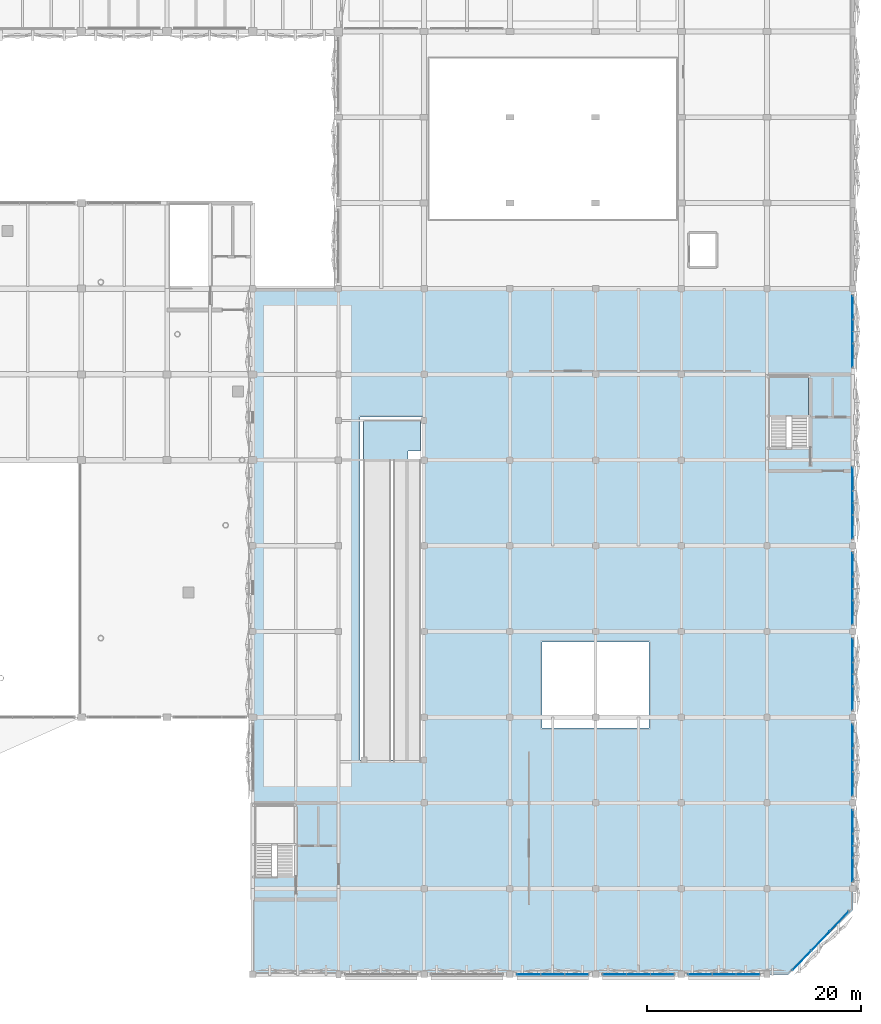
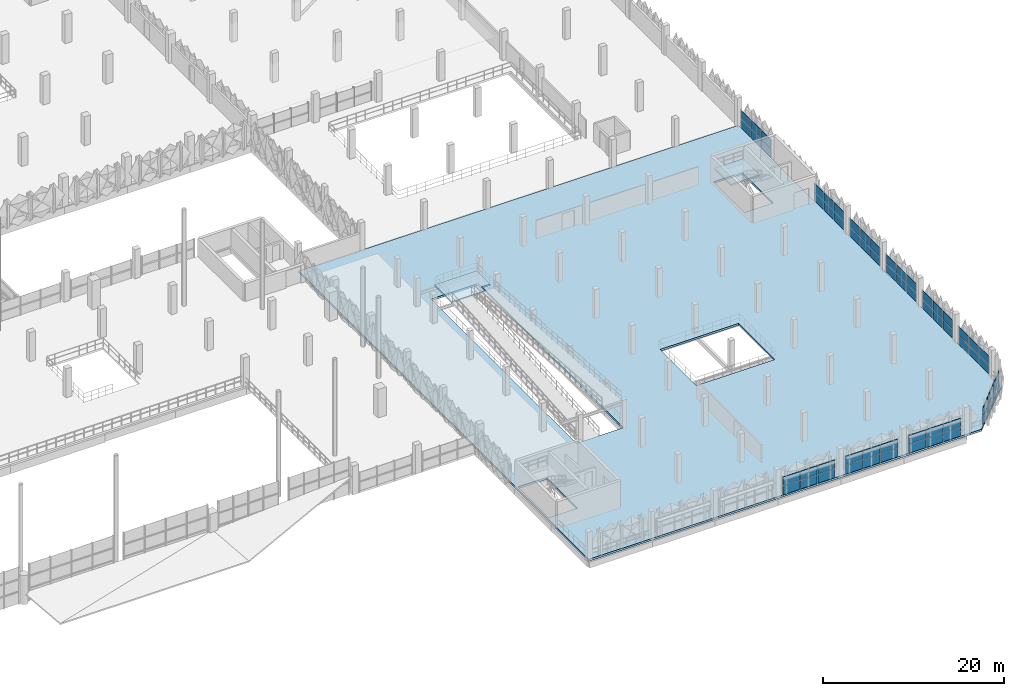
# One storey, part 64 of 123: 60 plates, 3 slabs, 12 elements without a shape of their own.
"""IFC4 building model written with IfcOpenShell, lengths in metres."""

from ifc_helpers import new_model, si_unit, derived_unit, direction, frame, origin, origin_2d, place, context, subcontext, project, spatial, polyline, rectangle, outline, extrude, material, layer, layer_set, type_object, element, aggregate, save


model = new_model("IFC4")

# Units and contexts
model_context = context("Model", 3, precision=1e-05, world=origin(), true_north=direction((0.0, 1.0)))
body_context = subcontext(model_context, "Body", "Model", "MODEL_VIEW")
ifc_project = project(units=[si_unit("LENGTHUNIT", "METRE"), si_unit("AREAUNIT", "SQUARE_METRE"), si_unit("VOLUMEUNIT", "CUBIC_METRE"), si_unit("PLANEANGLEUNIT", "RADIAN"), si_unit("MASSUNIT", "GRAM", prefix="KILO"), si_unit("THERMODYNAMICTEMPERATUREUNIT", "KELVIN"), derived_unit("THERMALTRANSMITTANCEUNIT", [(si_unit("POWERUNIT", "WATT"), 1), (si_unit("AREAUNIT", "SQUARE_METRE"), -1), (si_unit("THERMODYNAMICTEMPERATUREUNIT", "KELVIN"), -1)])], contexts=[model_context])

# Site, building, storey
site_placement = place(None, origin())
site = spatial("IfcSite", under=ifc_project, at=site_placement, CompositionType="ELEMENT")
building_placement = place(site_placement, origin())
building = spatial("IfcBuilding", under=site, at=building_placement, Name="Haiyu Intermodal Mobility Hub", CompositionType="ELEMENT")
storey_placement = place(building_placement, frame((0.0, 0.0, 5.60009765625)))
storey = spatial("IfcBuildingStorey", under=building, at=storey_placement, Name="L01", CompositionType="ELEMENT", Elevation=5.60009765625)

# Curtain wall, plates
ifc_material_1 = material(Name="Low-e laminated insulating glass", Category="glass")
ifc_layer_1 = layer(ifc_material_1, 0.2099609375)
ifc_layer_set_1 = layer_set([ifc_layer_1], Name="Low-e laminated insulating glass")
curtain_wall_type = type_object("IfcCurtainWallType", Name="CW-CW04", PredefinedType="NOTDEFINED", material=ifc_layer_set_1)
curtain_wall_1_placement = place(storey_placement, origin())
curtain_wall_1 = element("IfcCurtainWall", 1, at=curtain_wall_1_placement, inside=storey, type_object=curtain_wall_type, Name="Curtain Wall CW-V5S-L01-096", PredefinedType="NOTDEFINED")
ifc_material_2 = material(Name="Anodised aluminium 6063-T6", Category="aluminium")
ifc_layer_2 = layer(ifc_material_2, 0.0419921875)
ifc_layer_set_2 = layer_set([ifc_layer_2], Name="Anodised aluminium 6063-T6")
plate_type_1 = type_object("IfcPlateType", Name="PLT-CP02", PredefinedType="CURTAIN_PANEL", material=ifc_layer_set_2)
plate_1_placement = place(storey_placement, frame((179.77294921875, 16.0, 0.034912109375), z_axis=(0.0, 0.0, 1.0), x_axis=(1.0, 0.0, 0.0)))
plate_1 = element("IfcPlate", 2, at=plate_1_placement, type_object=plate_type_1, Name="CW-V5S-L01-096-PN01", PredefinedType="CURTAIN_PANEL", context=body_context, shape_type="SweptSolid", body=[
    extrude(rectangle(XDim=2.136962890625, YDim=0.0419921875, at=origin_2d()), origin(), (0.0, 0.0, 1.0), 1.169921875),
])
plate_2_placement = place(storey_placement, frame((182.0, 16.0, 0.034912109375), z_axis=(0.0, 0.0, 1.0), x_axis=(1.0, 0.0, 0.0)))
plate_2 = element("IfcPlate", 3, at=plate_2_placement, type_object=plate_type_1, Name="CW-V5S-L01-096-PN03", PredefinedType="CURTAIN_PANEL", context=body_context, shape_type="SweptSolid", body=[
    extrude(rectangle(XDim=2.136962890625, YDim=0.0419921875, at=origin_2d()), origin(), (0.0, 0.0, 1.0), 1.169921875),
])
plate_3_placement = place(storey_placement, frame((184.22705078125, 16.0, 0.034912109375), z_axis=(0.0, 0.0, 1.0), x_axis=(1.0, 0.0, 0.0)))
plate_3 = element("IfcPlate", 4, at=plate_3_placement, type_object=plate_type_1, Name="CW-V5S-L01-096-PN05", PredefinedType="CURTAIN_PANEL", context=body_context, shape_type="SweptSolid", body=[
    extrude(rectangle(XDim=2.136962890625, YDim=0.0419921875, at=origin_2d()), origin(), (0.0, 0.0, 1.0), 1.169921875),
])

curtain_wall_2_placement = place(storey_placement, origin())
curtain_wall_2 = element("IfcCurtainWall", 5, at=curtain_wall_2_placement, inside=storey, type_object=curtain_wall_type, Name="Curtain Wall CW-V5S-L01-097", PredefinedType="NOTDEFINED")
plate_4_placement = place(storey_placement, frame((187.77294921875, 16.0, 0.034912109375), z_axis=(0.0, 0.0, 1.0), x_axis=(1.0, 0.0, 0.0)))
plate_4 = element("IfcPlate", 6, at=plate_4_placement, type_object=plate_type_1, Name="CW-V5S-L01-097-PN01", PredefinedType="CURTAIN_PANEL", context=body_context, shape_type="SweptSolid", body=[
    extrude(rectangle(XDim=2.136962890625, YDim=0.0419921875, at=origin_2d()), origin(), (0.0, 0.0, 1.0), 1.169921875),
])
plate_5_placement = place(storey_placement, frame((190.0, 16.0, 0.034912109375), z_axis=(0.0, 0.0, 1.0), x_axis=(1.0, 0.0, 0.0)))
plate_5 = element("IfcPlate", 7, at=plate_5_placement, type_object=plate_type_1, Name="CW-V5S-L01-097-PN03", PredefinedType="CURTAIN_PANEL", context=body_context, shape_type="SweptSolid", body=[
    extrude(rectangle(XDim=2.136962890625, YDim=0.0419921875, at=origin_2d()), origin(), (0.0, 0.0, 1.0), 1.169921875),
])
plate_6_placement = place(storey_placement, frame((192.22705078125, 16.0, 0.034912109375), z_axis=(0.0, 0.0, 1.0), x_axis=(1.0, 0.0, 0.0)))
plate_6 = element("IfcPlate", 8, at=plate_6_placement, type_object=plate_type_1, Name="CW-V5S-L01-097-PN05", PredefinedType="CURTAIN_PANEL", context=body_context, shape_type="SweptSolid", body=[
    extrude(rectangle(XDim=2.136962890625, YDim=0.0419921875, at=origin_2d()), origin(), (0.0, 0.0, 1.0), 1.169921875),
])

curtain_wall_3_placement = place(storey_placement, origin())
curtain_wall_3 = element("IfcCurtainWall", 9, at=curtain_wall_3_placement, inside=storey, type_object=curtain_wall_type, Name="Curtain Wall CW-V5S-L01-098", PredefinedType="NOTDEFINED")
plate_7_placement = place(storey_placement, frame((195.77294921875, 16.0, 0.034912109375), z_axis=(0.0, 0.0, 1.0), x_axis=(1.0, 0.0, 0.0)))
plate_7 = element("IfcPlate", 10, at=plate_7_placement, type_object=plate_type_1, Name="CW-V5S-L01-098-PN01", PredefinedType="CURTAIN_PANEL", context=body_context, shape_type="SweptSolid", body=[
    extrude(rectangle(XDim=2.136962890625, YDim=0.0419921875, at=origin_2d()), origin(), (0.0, 0.0, 1.0), 1.169921875),
])
plate_8_placement = place(storey_placement, frame((198.0, 16.0, 0.034912109375), z_axis=(0.0, 0.0, 1.0), x_axis=(1.0, 0.0, 0.0)))
plate_8 = element("IfcPlate", 11, at=plate_8_placement, type_object=plate_type_1, Name="CW-V5S-L01-098-PN03", PredefinedType="CURTAIN_PANEL", context=body_context, shape_type="SweptSolid", body=[
    extrude(rectangle(XDim=2.136962890625, YDim=0.0419921875, at=origin_2d()), origin(), (0.0, 0.0, 1.0), 1.169921875),
])
plate_9_placement = place(storey_placement, frame((200.22705078125, 16.0, 0.034912109375), z_axis=(0.0, 0.0, 1.0), x_axis=(1.0, 0.0, 0.0)))
plate_9 = element("IfcPlate", 12, at=plate_9_placement, type_object=plate_type_1, Name="CW-V5S-L01-098-PN05", PredefinedType="CURTAIN_PANEL", context=body_context, shape_type="SweptSolid", body=[
    extrude(rectangle(XDim=2.136962890625, YDim=0.0419921875, at=origin_2d()), origin(), (0.0, 0.0, 1.0), 1.169921875),
])

curtain_wall_4_placement = place(storey_placement, origin())
curtain_wall_4 = element("IfcCurtainWall", 13, at=curtain_wall_4_placement, inside=storey, type_object=curtain_wall_type, Name="Curtain Wall CW-V5E-L01-099", PredefinedType="NOTDEFINED")
plate_10_placement = place(storey_placement, frame((210.0, 25.77294921875, 0.034912109375), z_axis=(0.0, 0.0, 1.0), x_axis=(0.0, 1.0, 0.0)))
plate_10 = element("IfcPlate", 14, at=plate_10_placement, type_object=plate_type_1, Name="CW-V5E-L01-099-PN01", PredefinedType="CURTAIN_PANEL", context=body_context, shape_type="SweptSolid", body=[
    extrude(rectangle(XDim=2.136962890625, YDim=0.0419921875, at=origin_2d()), origin(), (0.0, 0.0, 1.0), 1.169921875),
])
plate_11_placement = place(storey_placement, frame((210.0, 28.0, 0.034912109375), z_axis=(0.0, 0.0, 1.0), x_axis=(0.0, 1.0, 0.0)))
plate_11 = element("IfcPlate", 15, at=plate_11_placement, type_object=plate_type_1, Name="CW-V5E-L01-099-PN03", PredefinedType="CURTAIN_PANEL", context=body_context, shape_type="SweptSolid", body=[
    extrude(rectangle(XDim=2.136962890625, YDim=0.0419921875, at=origin_2d()), origin(), (0.0, 0.0, 1.0), 1.169921875),
])
plate_12_placement = place(storey_placement, frame((210.0, 30.22705078125, 0.034912109375), z_axis=(0.0, 0.0, 1.0), x_axis=(0.0, 1.0, 0.0)))
plate_12 = element("IfcPlate", 16, at=plate_12_placement, type_object=plate_type_1, Name="CW-V5E-L01-099-PN05", PredefinedType="CURTAIN_PANEL", context=body_context, shape_type="SweptSolid", body=[
    extrude(rectangle(XDim=2.136962890625, YDim=0.0419921875, at=origin_2d()), origin(), (0.0, 0.0, 1.0), 1.169921875),
])

curtain_wall_5_placement = place(storey_placement, origin())
curtain_wall_5 = element("IfcCurtainWall", 17, at=curtain_wall_5_placement, inside=storey, type_object=curtain_wall_type, Name="Curtain Wall CW-V5E-L01-100", PredefinedType="NOTDEFINED")
plate_13_placement = place(storey_placement, frame((210.0, 33.77294921875, 0.034912109375), z_axis=(0.0, 0.0, 1.0), x_axis=(0.0, 1.0, 0.0)))
plate_13 = element("IfcPlate", 18, at=plate_13_placement, type_object=plate_type_1, Name="CW-V5E-L01-100-PN01", PredefinedType="CURTAIN_PANEL", context=body_context, shape_type="SweptSolid", body=[
    extrude(rectangle(XDim=2.136962890625, YDim=0.0419921875, at=origin_2d()), origin(), (0.0, 0.0, 1.0), 1.169921875),
])
plate_14_placement = place(storey_placement, frame((210.0, 36.0, 0.034912109375), z_axis=(0.0, 0.0, 1.0), x_axis=(0.0, 1.0, 0.0)))
plate_14 = element("IfcPlate", 19, at=plate_14_placement, type_object=plate_type_1, Name="CW-V5E-L01-100-PN03", PredefinedType="CURTAIN_PANEL", context=body_context, shape_type="SweptSolid", body=[
    extrude(rectangle(XDim=2.136962890625, YDim=0.0419921875, at=origin_2d()), origin(), (0.0, 0.0, 1.0), 1.169921875),
])
plate_15_placement = place(storey_placement, frame((210.0, 38.22705078125, 0.034912109375), z_axis=(0.0, 0.0, 1.0), x_axis=(0.0, 1.0, 0.0)))
plate_15 = element("IfcPlate", 20, at=plate_15_placement, type_object=plate_type_1, Name="CW-V5E-L01-100-PN05", PredefinedType="CURTAIN_PANEL", context=body_context, shape_type="SweptSolid", body=[
    extrude(rectangle(XDim=2.136962890625, YDim=0.0419921875, at=origin_2d()), origin(), (0.0, 0.0, 1.0), 1.169921875),
])

curtain_wall_6_placement = place(storey_placement, origin())
curtain_wall_6 = element("IfcCurtainWall", 21, at=curtain_wall_6_placement, inside=storey, type_object=curtain_wall_type, Name="Curtain Wall CW-V5E-L01-101", PredefinedType="NOTDEFINED")
plate_16_placement = place(storey_placement, frame((210.0, 41.77294921875, 0.034912109375), z_axis=(0.0, 0.0, 1.0), x_axis=(0.0, 1.0, 0.0)))
plate_16 = element("IfcPlate", 22, at=plate_16_placement, type_object=plate_type_1, Name="CW-V5E-L01-101-PN01", PredefinedType="CURTAIN_PANEL", context=body_context, shape_type="SweptSolid", body=[
    extrude(rectangle(XDim=2.136962890625, YDim=0.0419921875, at=origin_2d()), origin(), (0.0, 0.0, 1.0), 1.169921875),
])
plate_17_placement = place(storey_placement, frame((210.0, 44.0, 0.034912109375), z_axis=(0.0, 0.0, 1.0), x_axis=(0.0, 1.0, 0.0)))
plate_17 = element("IfcPlate", 23, at=plate_17_placement, type_object=plate_type_1, Name="CW-V5E-L01-101-PN03", PredefinedType="CURTAIN_PANEL", context=body_context, shape_type="SweptSolid", body=[
    extrude(rectangle(XDim=2.136962890625, YDim=0.0419921875, at=origin_2d()), origin(), (0.0, 0.0, 1.0), 1.169921875),
])
plate_18_placement = place(storey_placement, frame((210.0, 46.22705078125, 0.034912109375), z_axis=(0.0, 0.0, 1.0), x_axis=(0.0, 1.0, 0.0)))
plate_18 = element("IfcPlate", 24, at=plate_18_placement, type_object=plate_type_1, Name="CW-V5E-L01-101-PN05", PredefinedType="CURTAIN_PANEL", context=body_context, shape_type="SweptSolid", body=[
    extrude(rectangle(XDim=2.136962890625, YDim=0.0419921875, at=origin_2d()), origin(), (0.0, 0.0, 1.0), 1.169921875),
])

curtain_wall_7_placement = place(storey_placement, origin())
curtain_wall_7 = element("IfcCurtainWall", 25, at=curtain_wall_7_placement, inside=storey, type_object=curtain_wall_type, Name="Curtain Wall CW-V5E-L01-102", PredefinedType="NOTDEFINED")
plate_19_placement = place(storey_placement, frame((210.0, 49.77294921875, 0.034912109375), z_axis=(0.0, 0.0, 1.0), x_axis=(0.0, 1.0, 0.0)))
plate_19 = element("IfcPlate", 26, at=plate_19_placement, type_object=plate_type_1, Name="CW-V5E-L01-102-PN01", PredefinedType="CURTAIN_PANEL", context=body_context, shape_type="SweptSolid", body=[
    extrude(rectangle(XDim=2.136962890625, YDim=0.0419921875, at=origin_2d()), origin(), (0.0, 0.0, 1.0), 1.169921875),
])
plate_20_placement = place(storey_placement, frame((210.0, 52.0, 0.034912109375), z_axis=(0.0, 0.0, 1.0), x_axis=(0.0, 1.0, 0.0)))
plate_20 = element("IfcPlate", 27, at=plate_20_placement, type_object=plate_type_1, Name="CW-V5E-L01-102-PN03", PredefinedType="CURTAIN_PANEL", context=body_context, shape_type="SweptSolid", body=[
    extrude(rectangle(XDim=2.136962890625, YDim=0.0419921875, at=origin_2d()), origin(), (0.0, 0.0, 1.0), 1.169921875),
])
plate_21_placement = place(storey_placement, frame((210.0, 54.22705078125, 0.034912109375), z_axis=(0.0, 0.0, 1.0), x_axis=(0.0, 1.0, 0.0)))
plate_21 = element("IfcPlate", 28, at=plate_21_placement, type_object=plate_type_1, Name="CW-V5E-L01-102-PN05", PredefinedType="CURTAIN_PANEL", context=body_context, shape_type="SweptSolid", body=[
    extrude(rectangle(XDim=2.136962890625, YDim=0.0419921875, at=origin_2d()), origin(), (0.0, 0.0, 1.0), 1.169921875),
])

curtain_wall_8_placement = place(storey_placement, origin())
curtain_wall_8 = element("IfcCurtainWall", 29, at=curtain_wall_8_placement, inside=storey, type_object=curtain_wall_type, Name="Curtain Wall CW-V5E-L01-103", PredefinedType="NOTDEFINED")
plate_22_placement = place(storey_placement, frame((210.0, 57.77294921875, 0.034912109375), z_axis=(0.0, 0.0, 1.0), x_axis=(0.0, 1.0, 0.0)))
plate_22 = element("IfcPlate", 30, at=plate_22_placement, type_object=plate_type_1, Name="CW-V5E-L01-103-PN01", PredefinedType="CURTAIN_PANEL", context=body_context, shape_type="SweptSolid", body=[
    extrude(rectangle(XDim=2.136962890625, YDim=0.0419921875, at=origin_2d()), origin(), (0.0, 0.0, 1.0), 1.169921875),
])
plate_23_placement = place(storey_placement, frame((210.0, 60.0, 0.034912109375), z_axis=(0.0, 0.0, 1.0), x_axis=(0.0, 1.0, 0.0)))
plate_23 = element("IfcPlate", 31, at=plate_23_placement, type_object=plate_type_1, Name="CW-V5E-L01-103-PN03", PredefinedType="CURTAIN_PANEL", context=body_context, shape_type="SweptSolid", body=[
    extrude(rectangle(XDim=2.136962890625, YDim=0.0419921875, at=origin_2d()), origin(), (0.0, 0.0, 1.0), 1.169921875),
])
plate_24_placement = place(storey_placement, frame((210.0, 62.22705078125, 0.034912109375), z_axis=(0.0, 0.0, 1.0), x_axis=(0.0, 1.0, 0.0)))
plate_24 = element("IfcPlate", 32, at=plate_24_placement, type_object=plate_type_1, Name="CW-V5E-L01-103-PN05", PredefinedType="CURTAIN_PANEL", context=body_context, shape_type="SweptSolid", body=[
    extrude(rectangle(XDim=2.136962890625, YDim=0.0419921875, at=origin_2d()), origin(), (0.0, 0.0, 1.0), 1.169921875),
])

curtain_wall_9_placement = place(storey_placement, origin())
curtain_wall_9 = element("IfcCurtainWall", 33, at=curtain_wall_9_placement, inside=storey, type_object=curtain_wall_type, Name="Curtain Wall CW-V5E-L01-104", PredefinedType="NOTDEFINED")
plate_25_placement = place(storey_placement, frame((210.0, 73.77294921875, 0.034912109375), z_axis=(0.0, 0.0, 1.0), x_axis=(0.0, 1.0, 0.0)))
plate_25 = element("IfcPlate", 34, at=plate_25_placement, type_object=plate_type_1, Name="CW-V5E-L01-104-PN01", PredefinedType="CURTAIN_PANEL", context=body_context, shape_type="SweptSolid", body=[
    extrude(rectangle(XDim=2.136962890625, YDim=0.0419921875, at=origin_2d()), origin(), (0.0, 0.0, 1.0), 1.169921875),
])
plate_26_placement = place(storey_placement, frame((210.0, 76.0, 0.034912109375), z_axis=(0.0, 0.0, 1.0), x_axis=(0.0, 1.0, 0.0)))
plate_26 = element("IfcPlate", 35, at=plate_26_placement, type_object=plate_type_1, Name="CW-V5E-L01-104-PN03", PredefinedType="CURTAIN_PANEL", context=body_context, shape_type="SweptSolid", body=[
    extrude(rectangle(XDim=2.136962890625, YDim=0.0419921875, at=origin_2d()), origin(), (0.0, 0.0, 1.0), 1.169921875),
])
plate_27_placement = place(storey_placement, frame((210.0, 78.22705078125, 0.034912109375), z_axis=(0.0, 0.0, 1.0), x_axis=(0.0, 1.0, 0.0)))
plate_27 = element("IfcPlate", 36, at=plate_27_placement, type_object=plate_type_1, Name="CW-V5E-L01-104-PN05", PredefinedType="CURTAIN_PANEL", context=body_context, shape_type="SweptSolid", body=[
    extrude(rectangle(XDim=2.136962890625, YDim=0.0419921875, at=origin_2d()), origin(), (0.0, 0.0, 1.0), 1.169921875),
])

curtain_wall_10_placement = place(storey_placement, origin())
curtain_wall_10 = element("IfcCurtainWall", 37, at=curtain_wall_10_placement, inside=storey, type_object=curtain_wall_type, Name="Curtain Wall CW-V5CH-L01-179", PredefinedType="NOTDEFINED")
plate_28_placement = place(storey_placement, frame((205.251953125, 17.2939453125, 0.034912109375), z_axis=(0.0, 0.0, 1.0), x_axis=(0.690630691319, 0.723207610723, 0.0)))
plate_28 = element("IfcPlate", 38, at=plate_28_placement, type_object=plate_type_1, Name="CW-V5CH-L01-179-PN01", PredefinedType="CURTAIN_PANEL", context=body_context, shape_type="SweptSolid", body=[
    extrude(rectangle(XDim=2.44091796875, YDim=0.0419921875, at=origin_2d()), origin(), (0.0, 0.0, 1.0), 1.169921875),
])
plate_29_placement = place(storey_placement, frame((207.0, 19.125, 0.034912109375), z_axis=(0.0, 0.0, 1.0), x_axis=(0.690630691319, 0.723207610723, 0.0)))
plate_29 = element("IfcPlate", 39, at=plate_29_placement, type_object=plate_type_1, Name="CW-V5CH-L01-179-PN03", PredefinedType="CURTAIN_PANEL", context=body_context, shape_type="SweptSolid", body=[
    extrude(rectangle(XDim=2.44091796875, YDim=0.0419921875, at=origin_2d()), origin(), (0.0, 0.0, 1.0), 1.169921875),
])
plate_30_placement = place(storey_placement, frame((208.748046875, 20.9560546875, 0.034912109375), z_axis=(0.0, 0.0, 1.0), x_axis=(0.690630691319, 0.723207610723, 0.0)))
plate_30 = element("IfcPlate", 40, at=plate_30_placement, type_object=plate_type_1, Name="CW-V5CH-L01-179-PN05", PredefinedType="CURTAIN_PANEL", context=body_context, shape_type="SweptSolid", body=[
    extrude(rectangle(XDim=2.44091796875, YDim=0.0419921875, at=origin_2d()), origin(), (0.0, 0.0, 1.0), 1.169921875),
])

# Plate
ifc_layer_3 = layer(ifc_material_1, 0.0439453125)
ifc_layer_set_3 = layer_set([ifc_layer_3], Name="Low-e laminated insulating glass")
plate_type_2 = type_object("IfcPlateType", Name="PLT-CP04", PredefinedType="CURTAIN_PANEL", material=ifc_layer_set_3)
plate_31_placement = place(storey_placement, frame((179.77294921875, 16.0, 1.27490234375), z_axis=(0.0, 0.0, 1.0), x_axis=(1.0, 0.0, 0.0)))
plate_31 = element("IfcPlate", 41, at=plate_31_placement, type_object=plate_type_2, Name="CW-V5S-L01-096-PN02", PredefinedType="CURTAIN_PANEL", context=body_context, shape_type="SweptSolid", body=[
    extrude(rectangle(XDim=2.136962890625, YDim=0.0439453125, at=origin_2d()), origin(), (0.0, 0.0, 1.0), 1.169921875),
])

plate_32_placement = place(storey_placement, frame((182.0, 16.0, 1.27490234375), z_axis=(0.0, 0.0, 1.0), x_axis=(1.0, 0.0, 0.0)))
plate_32 = element("IfcPlate", 42, at=plate_32_placement, type_object=plate_type_2, Name="CW-V5S-L01-096-PN04", PredefinedType="CURTAIN_PANEL", context=body_context, shape_type="SweptSolid", body=[
    extrude(rectangle(XDim=2.136962890625, YDim=0.0439453125, at=origin_2d()), origin(), (0.0, 0.0, 1.0), 1.169921875),
])

plate_33_placement = place(storey_placement, frame((184.22705078125, 16.0, 1.27490234375), z_axis=(0.0, 0.0, 1.0), x_axis=(1.0, 0.0, 0.0)))
plate_33 = element("IfcPlate", 43, at=plate_33_placement, type_object=plate_type_2, Name="CW-V5S-L01-096-PN06", PredefinedType="CURTAIN_PANEL", context=body_context, shape_type="SweptSolid", body=[
    extrude(rectangle(XDim=2.136962890625, YDim=0.0439453125, at=origin_2d()), origin(), (0.0, 0.0, 1.0), 1.169921875),
])

aggregate(curtain_wall_1, [plate_1, plate_31, plate_2, plate_32, plate_3, plate_33])

plate_34_placement = place(storey_placement, frame((187.77294921875, 16.0, 1.27490234375), z_axis=(0.0, 0.0, 1.0), x_axis=(1.0, 0.0, 0.0)))
plate_34 = element("IfcPlate", 44, at=plate_34_placement, type_object=plate_type_2, Name="CW-V5S-L01-097-PN02", PredefinedType="CURTAIN_PANEL", context=body_context, shape_type="SweptSolid", body=[
    extrude(rectangle(XDim=2.136962890625, YDim=0.0439453125, at=origin_2d()), origin(), (0.0, 0.0, 1.0), 1.169921875),
])

plate_35_placement = place(storey_placement, frame((190.0, 16.0, 1.27490234375), z_axis=(0.0, 0.0, 1.0), x_axis=(1.0, 0.0, 0.0)))
plate_35 = element("IfcPlate", 45, at=plate_35_placement, type_object=plate_type_2, Name="CW-V5S-L01-097-PN04", PredefinedType="CURTAIN_PANEL", context=body_context, shape_type="SweptSolid", body=[
    extrude(rectangle(XDim=2.136962890625, YDim=0.0439453125, at=origin_2d()), origin(), (0.0, 0.0, 1.0), 1.169921875),
])

plate_36_placement = place(storey_placement, frame((192.22705078125, 16.0, 1.27490234375), z_axis=(0.0, 0.0, 1.0), x_axis=(1.0, 0.0, 0.0)))
plate_36 = element("IfcPlate", 46, at=plate_36_placement, type_object=plate_type_2, Name="CW-V5S-L01-097-PN06", PredefinedType="CURTAIN_PANEL", context=body_context, shape_type="SweptSolid", body=[
    extrude(rectangle(XDim=2.136962890625, YDim=0.0439453125, at=origin_2d()), origin(), (0.0, 0.0, 1.0), 1.169921875),
])

aggregate(curtain_wall_2, [plate_4, plate_34, plate_5, plate_35, plate_6, plate_36])

plate_37_placement = place(storey_placement, frame((195.77294921875, 16.0, 1.27490234375), z_axis=(0.0, 0.0, 1.0), x_axis=(1.0, 0.0, 0.0)))
plate_37 = element("IfcPlate", 47, at=plate_37_placement, type_object=plate_type_2, Name="CW-V5S-L01-098-PN02", PredefinedType="CURTAIN_PANEL", context=body_context, shape_type="SweptSolid", body=[
    extrude(rectangle(XDim=2.136962890625, YDim=0.0439453125, at=origin_2d()), origin(), (0.0, 0.0, 1.0), 1.169921875),
])

plate_38_placement = place(storey_placement, frame((198.0, 16.0, 1.27490234375), z_axis=(0.0, 0.0, 1.0), x_axis=(1.0, 0.0, 0.0)))
plate_38 = element("IfcPlate", 48, at=plate_38_placement, type_object=plate_type_2, Name="CW-V5S-L01-098-PN04", PredefinedType="CURTAIN_PANEL", context=body_context, shape_type="SweptSolid", body=[
    extrude(rectangle(XDim=2.136962890625, YDim=0.0439453125, at=origin_2d()), origin(), (0.0, 0.0, 1.0), 1.169921875),
])

plate_39_placement = place(storey_placement, frame((200.22705078125, 16.0, 1.27490234375), z_axis=(0.0, 0.0, 1.0), x_axis=(1.0, 0.0, 0.0)))
plate_39 = element("IfcPlate", 49, at=plate_39_placement, type_object=plate_type_2, Name="CW-V5S-L01-098-PN06", PredefinedType="CURTAIN_PANEL", context=body_context, shape_type="SweptSolid", body=[
    extrude(rectangle(XDim=2.136962890625, YDim=0.0439453125, at=origin_2d()), origin(), (0.0, 0.0, 1.0), 1.169921875),
])

aggregate(curtain_wall_3, [plate_7, plate_37, plate_8, plate_38, plate_9, plate_39])

plate_40_placement = place(storey_placement, frame((210.0, 25.77294921875, 1.27490234375), z_axis=(0.0, 0.0, 1.0), x_axis=(0.0, 1.0, 0.0)))
plate_40 = element("IfcPlate", 50, at=plate_40_placement, type_object=plate_type_2, Name="CW-V5E-L01-099-PN02", PredefinedType="CURTAIN_PANEL", context=body_context, shape_type="SweptSolid", body=[
    extrude(rectangle(XDim=2.136962890625, YDim=0.0439453125, at=origin_2d()), origin(), (0.0, 0.0, 1.0), 1.169921875),
])

plate_41_placement = place(storey_placement, frame((210.0, 28.0, 1.27490234375), z_axis=(0.0, 0.0, 1.0), x_axis=(0.0, 1.0, 0.0)))
plate_41 = element("IfcPlate", 51, at=plate_41_placement, type_object=plate_type_2, Name="CW-V5E-L01-099-PN04", PredefinedType="CURTAIN_PANEL", context=body_context, shape_type="SweptSolid", body=[
    extrude(rectangle(XDim=2.136962890625, YDim=0.0439453125, at=origin_2d()), origin(), (0.0, 0.0, 1.0), 1.169921875),
])

plate_42_placement = place(storey_placement, frame((210.0, 30.22705078125, 1.27490234375), z_axis=(0.0, 0.0, 1.0), x_axis=(0.0, 1.0, 0.0)))
plate_42 = element("IfcPlate", 52, at=plate_42_placement, type_object=plate_type_2, Name="CW-V5E-L01-099-PN06", PredefinedType="CURTAIN_PANEL", context=body_context, shape_type="SweptSolid", body=[
    extrude(rectangle(XDim=2.136962890625, YDim=0.0439453125, at=origin_2d()), origin(), (0.0, 0.0, 1.0), 1.169921875),
])

aggregate(curtain_wall_4, [plate_10, plate_40, plate_11, plate_41, plate_12, plate_42])

plate_43_placement = place(storey_placement, frame((210.0, 33.77294921875, 1.27490234375), z_axis=(0.0, 0.0, 1.0), x_axis=(0.0, 1.0, 0.0)))
plate_43 = element("IfcPlate", 53, at=plate_43_placement, type_object=plate_type_2, Name="CW-V5E-L01-100-PN02", PredefinedType="CURTAIN_PANEL", context=body_context, shape_type="SweptSolid", body=[
    extrude(rectangle(XDim=2.136962890625, YDim=0.0439453125, at=origin_2d()), origin(), (0.0, 0.0, 1.0), 1.169921875),
])

plate_44_placement = place(storey_placement, frame((210.0, 36.0, 1.27490234375), z_axis=(0.0, 0.0, 1.0), x_axis=(0.0, 1.0, 0.0)))
plate_44 = element("IfcPlate", 54, at=plate_44_placement, type_object=plate_type_2, Name="CW-V5E-L01-100-PN04", PredefinedType="CURTAIN_PANEL", context=body_context, shape_type="SweptSolid", body=[
    extrude(rectangle(XDim=2.136962890625, YDim=0.0439453125, at=origin_2d()), origin(), (0.0, 0.0, 1.0), 1.169921875),
])

plate_45_placement = place(storey_placement, frame((210.0, 38.22705078125, 1.27490234375), z_axis=(0.0, 0.0, 1.0), x_axis=(0.0, 1.0, 0.0)))
plate_45 = element("IfcPlate", 55, at=plate_45_placement, type_object=plate_type_2, Name="CW-V5E-L01-100-PN06", PredefinedType="CURTAIN_PANEL", context=body_context, shape_type="SweptSolid", body=[
    extrude(rectangle(XDim=2.136962890625, YDim=0.0439453125, at=origin_2d()), origin(), (0.0, 0.0, 1.0), 1.169921875),
])

aggregate(curtain_wall_5, [plate_13, plate_43, plate_14, plate_44, plate_15, plate_45])

plate_46_placement = place(storey_placement, frame((210.0, 41.77294921875, 1.27490234375), z_axis=(0.0, 0.0, 1.0), x_axis=(0.0, 1.0, 0.0)))
plate_46 = element("IfcPlate", 56, at=plate_46_placement, type_object=plate_type_2, Name="CW-V5E-L01-101-PN02", PredefinedType="CURTAIN_PANEL", context=body_context, shape_type="SweptSolid", body=[
    extrude(rectangle(XDim=2.136962890625, YDim=0.0439453125, at=origin_2d()), origin(), (0.0, 0.0, 1.0), 1.169921875),
])

plate_47_placement = place(storey_placement, frame((210.0, 44.0, 1.27490234375), z_axis=(0.0, 0.0, 1.0), x_axis=(0.0, 1.0, 0.0)))
plate_47 = element("IfcPlate", 57, at=plate_47_placement, type_object=plate_type_2, Name="CW-V5E-L01-101-PN04", PredefinedType="CURTAIN_PANEL", context=body_context, shape_type="SweptSolid", body=[
    extrude(rectangle(XDim=2.136962890625, YDim=0.0439453125, at=origin_2d()), origin(), (0.0, 0.0, 1.0), 1.169921875),
])

plate_48_placement = place(storey_placement, frame((210.0, 46.22705078125, 1.27490234375), z_axis=(0.0, 0.0, 1.0), x_axis=(0.0, 1.0, 0.0)))
plate_48 = element("IfcPlate", 58, at=plate_48_placement, type_object=plate_type_2, Name="CW-V5E-L01-101-PN06", PredefinedType="CURTAIN_PANEL", context=body_context, shape_type="SweptSolid", body=[
    extrude(rectangle(XDim=2.136962890625, YDim=0.0439453125, at=origin_2d()), origin(), (0.0, 0.0, 1.0), 1.169921875),
])

aggregate(curtain_wall_6, [plate_16, plate_46, plate_17, plate_47, plate_18, plate_48])

plate_49_placement = place(storey_placement, frame((210.0, 49.77294921875, 1.27490234375), z_axis=(0.0, 0.0, 1.0), x_axis=(0.0, 1.0, 0.0)))
plate_49 = element("IfcPlate", 59, at=plate_49_placement, type_object=plate_type_2, Name="CW-V5E-L01-102-PN02", PredefinedType="CURTAIN_PANEL", context=body_context, shape_type="SweptSolid", body=[
    extrude(rectangle(XDim=2.136962890625, YDim=0.0439453125, at=origin_2d()), origin(), (0.0, 0.0, 1.0), 1.169921875),
])

plate_50_placement = place(storey_placement, frame((210.0, 52.0, 1.27490234375), z_axis=(0.0, 0.0, 1.0), x_axis=(0.0, 1.0, 0.0)))
plate_50 = element("IfcPlate", 60, at=plate_50_placement, type_object=plate_type_2, Name="CW-V5E-L01-102-PN04", PredefinedType="CURTAIN_PANEL", context=body_context, shape_type="SweptSolid", body=[
    extrude(rectangle(XDim=2.136962890625, YDim=0.0439453125, at=origin_2d()), origin(), (0.0, 0.0, 1.0), 1.169921875),
])

plate_51_placement = place(storey_placement, frame((210.0, 54.22705078125, 1.27490234375), z_axis=(0.0, 0.0, 1.0), x_axis=(0.0, 1.0, 0.0)))
plate_51 = element("IfcPlate", 61, at=plate_51_placement, type_object=plate_type_2, Name="CW-V5E-L01-102-PN06", PredefinedType="CURTAIN_PANEL", context=body_context, shape_type="SweptSolid", body=[
    extrude(rectangle(XDim=2.136962890625, YDim=0.0439453125, at=origin_2d()), origin(), (0.0, 0.0, 1.0), 1.169921875),
])

aggregate(curtain_wall_7, [plate_19, plate_49, plate_20, plate_50, plate_21, plate_51])

plate_52_placement = place(storey_placement, frame((210.0, 57.77294921875, 1.27490234375), z_axis=(0.0, 0.0, 1.0), x_axis=(0.0, 1.0, 0.0)))
plate_52 = element("IfcPlate", 62, at=plate_52_placement, type_object=plate_type_2, Name="CW-V5E-L01-103-PN02", PredefinedType="CURTAIN_PANEL", context=body_context, shape_type="SweptSolid", body=[
    extrude(rectangle(XDim=2.136962890625, YDim=0.0439453125, at=origin_2d()), origin(), (0.0, 0.0, 1.0), 1.169921875),
])

plate_53_placement = place(storey_placement, frame((210.0, 60.0, 1.27490234375), z_axis=(0.0, 0.0, 1.0), x_axis=(0.0, 1.0, 0.0)))
plate_53 = element("IfcPlate", 63, at=plate_53_placement, type_object=plate_type_2, Name="CW-V5E-L01-103-PN04", PredefinedType="CURTAIN_PANEL", context=body_context, shape_type="SweptSolid", body=[
    extrude(rectangle(XDim=2.136962890625, YDim=0.0439453125, at=origin_2d()), origin(), (0.0, 0.0, 1.0), 1.169921875),
])

plate_54_placement = place(storey_placement, frame((210.0, 62.22705078125, 1.27490234375), z_axis=(0.0, 0.0, 1.0), x_axis=(0.0, 1.0, 0.0)))
plate_54 = element("IfcPlate", 64, at=plate_54_placement, type_object=plate_type_2, Name="CW-V5E-L01-103-PN06", PredefinedType="CURTAIN_PANEL", context=body_context, shape_type="SweptSolid", body=[
    extrude(rectangle(XDim=2.136962890625, YDim=0.0439453125, at=origin_2d()), origin(), (0.0, 0.0, 1.0), 1.169921875),
])

aggregate(curtain_wall_8, [plate_22, plate_52, plate_23, plate_53, plate_24, plate_54])

plate_55_placement = place(storey_placement, frame((210.0, 73.77294921875, 1.27490234375), z_axis=(0.0, 0.0, 1.0), x_axis=(0.0, 1.0, 0.0)))
plate_55 = element("IfcPlate", 65, at=plate_55_placement, type_object=plate_type_2, Name="CW-V5E-L01-104-PN02", PredefinedType="CURTAIN_PANEL", context=body_context, shape_type="SweptSolid", body=[
    extrude(rectangle(XDim=2.136962890625, YDim=0.0439453125, at=origin_2d()), origin(), (0.0, 0.0, 1.0), 1.169921875),
])

plate_56_placement = place(storey_placement, frame((210.0, 76.0, 1.27490234375), z_axis=(0.0, 0.0, 1.0), x_axis=(0.0, 1.0, 0.0)))
plate_56 = element("IfcPlate", 66, at=plate_56_placement, type_object=plate_type_2, Name="CW-V5E-L01-104-PN04", PredefinedType="CURTAIN_PANEL", context=body_context, shape_type="SweptSolid", body=[
    extrude(rectangle(XDim=2.136962890625, YDim=0.0439453125, at=origin_2d()), origin(), (0.0, 0.0, 1.0), 1.169921875),
])

plate_57_placement = place(storey_placement, frame((210.0, 78.22705078125, 1.27490234375), z_axis=(0.0, 0.0, 1.0), x_axis=(0.0, 1.0, 0.0)))
plate_57 = element("IfcPlate", 67, at=plate_57_placement, type_object=plate_type_2, Name="CW-V5E-L01-104-PN06", PredefinedType="CURTAIN_PANEL", context=body_context, shape_type="SweptSolid", body=[
    extrude(rectangle(XDim=2.136962890625, YDim=0.0439453125, at=origin_2d()), origin(), (0.0, 0.0, 1.0), 1.169921875),
])

aggregate(curtain_wall_9, [plate_25, plate_55, plate_26, plate_56, plate_27, plate_57])

plate_58_placement = place(storey_placement, frame((205.251953125, 17.2939453125, 1.27490234375), z_axis=(0.0, 0.0, 1.0), x_axis=(0.690630691319, 0.723207610723, 0.0)))
plate_58 = element("IfcPlate", 68, at=plate_58_placement, type_object=plate_type_2, Name="CW-V5CH-L01-179-PN02", PredefinedType="CURTAIN_PANEL", context=body_context, shape_type="SweptSolid", body=[
    extrude(rectangle(XDim=2.44091796875, YDim=0.0439453125, at=origin_2d()), origin(), (0.0, 0.0, 1.0), 1.169921875),
])

plate_59_placement = place(storey_placement, frame((207.0, 19.125, 1.27490234375), z_axis=(0.0, 0.0, 1.0), x_axis=(0.690630691319, 0.723207610723, 0.0)))
plate_59 = element("IfcPlate", 69, at=plate_59_placement, type_object=plate_type_2, Name="CW-V5CH-L01-179-PN04", PredefinedType="CURTAIN_PANEL", context=body_context, shape_type="SweptSolid", body=[
    extrude(rectangle(XDim=2.44091796875, YDim=0.0439453125, at=origin_2d()), origin(), (0.0, 0.0, 1.0), 1.169921875),
])

plate_60_placement = place(storey_placement, frame((208.748046875, 20.9560546875, 1.27490234375), z_axis=(0.0, 0.0, 1.0), x_axis=(0.690630691319, 0.723207610723, 0.0)))
plate_60 = element("IfcPlate", 70, at=plate_60_placement, type_object=plate_type_2, Name="CW-V5CH-L01-179-PN06", PredefinedType="CURTAIN_PANEL", context=body_context, shape_type="SweptSolid", body=[
    extrude(rectangle(XDim=2.44091796875, YDim=0.0439453125, at=origin_2d()), origin(), (0.0, 0.0, 1.0), 1.169921875),
])

aggregate(curtain_wall_10, [plate_28, plate_58, plate_29, plate_59, plate_30, plate_60])

# Slab
ifc_material_3 = material(Name="Concrete C40", Category="concrete")
ifc_layer_4 = layer(ifc_material_3, 0.199951171875)
ifc_layer_set_4 = layer_set([ifc_layer_4], Name="Concrete C40")
slab_type_1 = type_object("IfcSlabType", Name="SLB-SL07", PredefinedType="FLOOR", material=ifc_layer_set_4)
slab_1_placement = place(storey_placement, frame((0.0, 0.0, -0.260009765625)))
element("IfcSlab", 71, at=slab_1_placement, inside=storey, type_object=slab_type_1, Name="L01 Bicycle & Shared-Mobility Floor Slab", PredefinedType="FLOOR", context=body_context, shape_type="SweptSolid", body=[
    extrude(outline(polyline([(154.02001953125, 16.0), (204.0, 16.0), (210.0, 22.0), (210.0, 79.97998046875), (154.02001953125, 79.97998046875), (154.02001953125, 16.0)]), holes=[polyline([(154.219970703125, 25.14990234375), (157.85009765625, 25.14990234375), (157.85009765625, 31.949951171875), (154.219970703125, 31.949951171875), (154.219970703125, 25.14990234375)]), polyline([(202.219970703125, 65.14990234375), (205.85009765625, 65.14990234375), (205.85009765625, 71.949951171875), (202.219970703125, 71.949951171875), (202.219970703125, 65.14990234375)]), polyline([(164.0, 36.0), (170.0, 36.0), (170.0, 68.0), (164.0, 68.0), (164.0, 36.0)]), polyline([(181.0, 39.0), (191.0, 39.0), (191.0, 47.0), (181.0, 47.0), (181.0, 39.0)])]), origin(), (0.0, 0.0, 1.0), 0.260009765625),
])

# Ramp, slab
ifc_layer_5 = layer(ifc_material_3, 0.260009765625)
ifc_layer_set_5 = layer_set([ifc_layer_5], Name="Concrete C40")
ramp_type = type_object("IfcRampType", Name="RMP-RM02", PredefinedType="STRAIGHT_RUN_RAMP", material=ifc_layer_set_5)
ramp_placement = place(storey_placement, origin())
ramp = element("IfcRamp", 72, at=ramp_placement, inside=storey, type_object=ramp_type, Name="Bicycle Ramp L01", PredefinedType="STRAIGHT_RUN_RAMP")
ifc_layer_6 = layer(ifc_material_3, 0.2099609375)
ifc_layer_set_6 = layer_set([ifc_layer_6], Name="Concrete C40")
slab_type_2 = type_object("IfcSlabType", Name="SLB-SL13", PredefinedType="LANDING", material=ifc_layer_set_6)
slab_2_placement = place(storey_placement, frame((0.0, 0.0, 1.739990234375)))
slab_2 = element("IfcSlab", 73, at=slab_2_placement, type_object=slab_type_2, Name="RMP-BIKE-L01-LND", PredefinedType="LANDING", context=body_context, shape_type="SweptSolid", body=[
    extrude(outline(polyline([(164.300048828125, 64.0), (168.511962890625, 64.0), (168.511962890625, 64.8359375), (169.699951171875, 64.8359375), (169.699951171875, 67.800048828125), (164.300048828125, 67.800048828125), (164.300048828125, 64.0)])), origin(), (0.0, 0.0, 1.0), 0.2099609375),
])
aggregate(ramp, [slab_2])

# Stair, slab
stair_type = type_object("IfcStairType", Name="STR-ST05", PredefinedType="HALF_TURN_STAIR", material=ifc_material_3)
stair_placement = place(storey_placement, origin())
stair = element("IfcStair", 74, at=stair_placement, inside=storey, type_object=stair_type, Name="Exit Stair ST03 L01", PredefinedType="HALF_TURN_STAIR")
slab_3_placement = place(storey_placement, frame((0.0, 0.0, 1.739990234375)))
slab_3 = element("IfcSlab", 75, at=slab_3_placement, type_object=slab_type_2, Name="Stair Half-Landing STR-C9-L01-LND", PredefinedType="LANDING", context=body_context, shape_type="SweptSolid", body=[
    extrude(outline(polyline([(202.219970703125, 68.1298828125), (205.8701171875, 68.1298828125), (205.8701171875, 71.780029296875), (202.219970703125, 71.780029296875), (202.219970703125, 68.1298828125)])), origin(), (0.0, 0.0, 1.0), 0.2099609375),
])
aggregate(stair, [slab_3])

save(model, "model.ifc")
